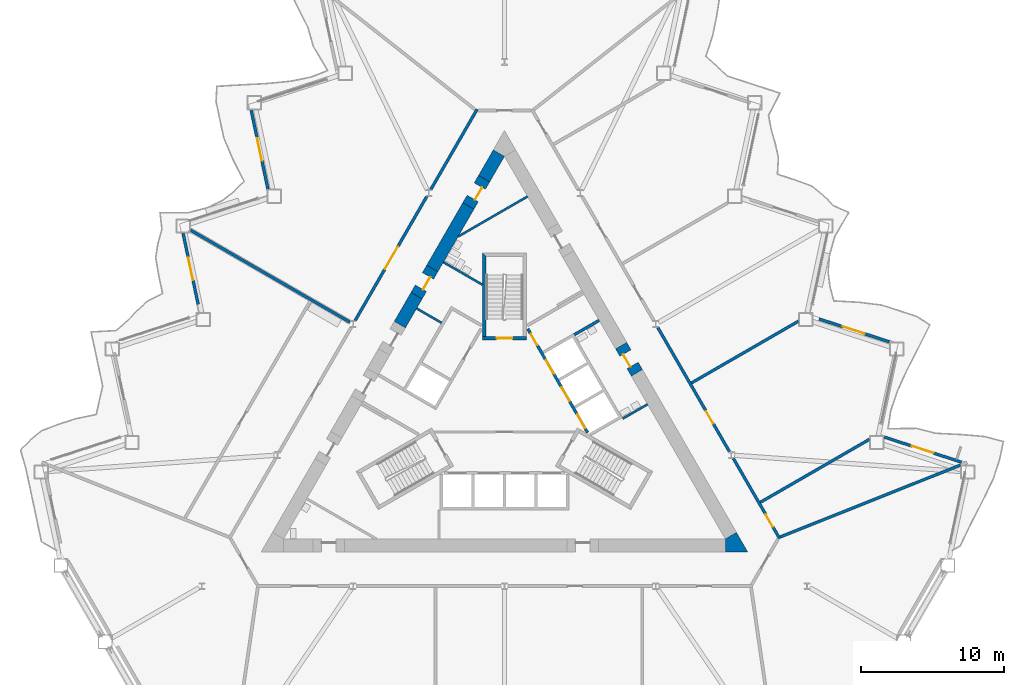
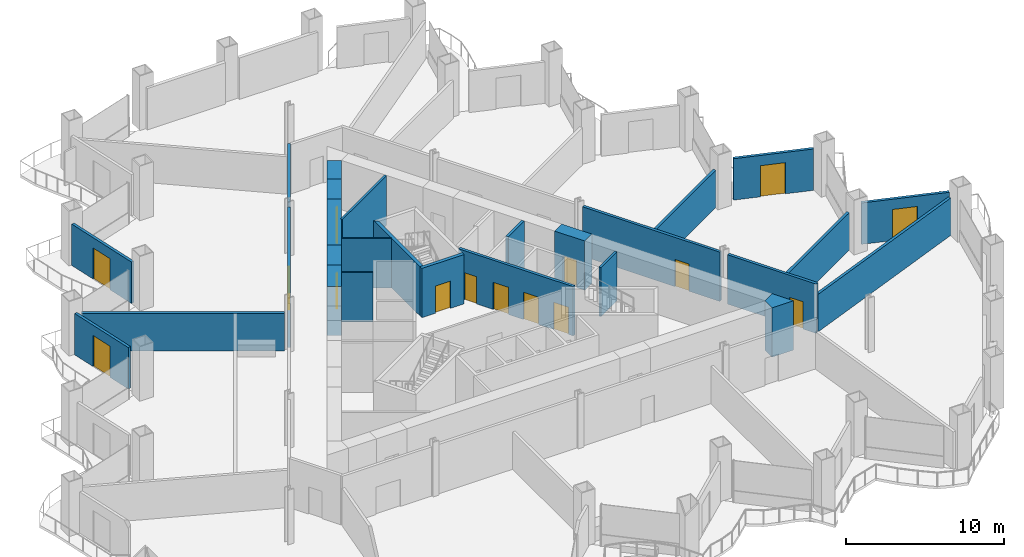
# One storey, part 11 of 20: 27 walls, 15 doors, 15 openings.
"""IFC4 building model written with IfcOpenShell, lengths in metres."""

from ifc_helpers import new_model, si_unit, direction, frame, frame_2d, origin, place, context, subcontext, project, spatial, polyline, rectangle, outline, extrude, material, layer, layer_set, type_object, element, fill, save


model = new_model("IFC4")

# Units and contexts
model_context = context("Model", 3, precision=1e-05, world=origin(), true_north=direction((0.0, 1.0)))
body_context = subcontext(model_context, "Body", "Model", "MODEL_VIEW")
ifc_project = project(units=[si_unit("LENGTHUNIT", "METRE"), si_unit("AREAUNIT", "SQUARE_METRE"), si_unit("VOLUMEUNIT", "CUBIC_METRE"), si_unit("PLANEANGLEUNIT", "RADIAN"), si_unit("MASSUNIT", "GRAM", prefix="KILO")], contexts=[model_context])

# Site, building, storey
site_placement = place(None, origin())
site = spatial("IfcSite", under=ifc_project, at=site_placement, CompositionType="ELEMENT")
building_placement = place(site_placement, origin())
building = spatial("IfcBuilding", under=site, at=building_placement, Name="Cormorant Prow Tower", CompositionType="ELEMENT")
storey_placement = place(building_placement, frame((0.0, 0.0, 34.199951171875)))
storey = spatial("IfcBuildingStorey", under=building, at=storey_placement, Name="L06", CompositionType="ELEMENT", Elevation=34.199951171875)

# Walls
ifc_material_1 = material(Name="Gypsum board partition")
ifc_layer_1 = layer(ifc_material_1, 0.14990234375)
ifc_layer_set_1 = layer_set([ifc_layer_1], Name="Gypsum board partition")
wall_type_1 = type_object("IfcWallType", Name="Core partition 150", PredefinedType="PARTITIONING", material=ifc_layer_set_1)
for number, where, z_axis, x_axis, name in (
    (1, (8.268310546875, -0.509033203125, 0.0), (0.0, 0.0, 1.0), (0.866035824272, 0.499981950752, 0.0), "Service room partition"),
    (2, (-6.139404296875, 7.196044921875, 0.0), (0.0, 0.0, 1.0), (0.866035824272, -0.499981950752, 0.0), "Service room partition"),
):
    element("IfcWall", number, at=place(storey_placement, frame(where, z_axis=z_axis, x_axis=x_axis)), inside=storey, type_object=wall_type_1, Name=name, PredefinedType="PARTITIONING", context=body_context, shape_type="SweptSolid", body=[
        extrude(rectangle(XDim=2.0087890625, YDim=0.14990234375, at=frame_2d((1.00439453125, 0.0))), origin(), (0.0, 0.0, 1.0), 3.800048828125),
    ])
wall_1_placement = place(storey_placement, frame((-4.271240234375, 10.431640625, 0.0), z_axis=(0.0, 0.0, 1.0), x_axis=(0.866018279777, -0.50001233894, 0.0)))
element("IfcWall", 3, at=wall_1_placement, inside=storey, type_object=wall_type_1, Name="Service room partition", PredefinedType="PARTITIONING", context=body_context, shape_type="SweptSolid", body=[
    extrude(rectangle(XDim=3.1591796875, YDim=0.14990234375, at=frame_2d((1.57958984375, 0.0))), origin(), (0.0, 0.0, 1.0), 3.800048828125),
])
wall_2_placement = place(storey_placement, frame((1.61865234375, 15.0263671875, 0.0), z_axis=(0.0, 0.0, 1.0), x_axis=(-0.866015917575, -0.500016430238, 0.0)))
element("IfcWall", 4, at=wall_2_placement, inside=storey, type_object=wall_type_1, Name="Service room partition", PredefinedType="PARTITIONING", context=body_context, shape_type="SweptSolid", body=[
    extrude(rectangle(XDim=5.607177734375, YDim=0.14990234375, at=frame_2d((2.8037109375, 0.0))), origin(), (0.0, 0.0, 1.0), 3.800048828125),
])
ifc_material_2 = material(Name="Concrete 8000 psi", Category="concrete")
ifc_layer_2 = layer(ifc_material_2, 0.89990234375)
ifc_layer_set_2 = layer_set([ifc_layer_2], Name="Concrete 8000 psi")
wall_type_2 = type_object("IfcWallType", Name="Core shear wall 900", PredefinedType="SHEAR", material=ifc_layer_set_2)
wall_3_placement = place(storey_placement, frame((-2.52099609375, 14.363525390625, 0.0), z_axis=(0.0, 0.0, 1.0), x_axis=(-0.500014099723, -0.866017263153, 0.0)))
element("IfcWall", 5, at=wall_3_placement, inside=storey, type_object=wall_type_2, Name="Core wall", PredefinedType="SHEAR", context=body_context, shape_type="SweptSolid", body=[
    extrude(rectangle(XDim=5.048095703125, YDim=0.89990234375, at=frame_2d((2.52392578125, 0.0))), origin(), (0.0, 0.0, 1.0), 3.800048828125),
])
wall_4_placement = place(storey_placement, frame((-6.14501953125, 8.086181640625, 0.0), z_axis=(0.0, 0.0, 1.0), x_axis=(-0.500026924946, -0.866009858102, 0.0)))
element("IfcWall", 6, at=wall_4_placement, inside=storey, type_object=wall_type_2, Name="Core wall", PredefinedType="SHEAR", context=body_context, shape_type="SweptSolid", body=[
    extrude(rectangle(XDim=2.336669921875, YDim=0.89990234375, at=frame_2d((1.16845703125, 0.0))), origin(), (0.0, 0.0, 1.0), 3.800048828125),
])
wall_5_placement = place(storey_placement, frame((-0.3896484375, 18.054931640625, 0.0), z_axis=(0.0, 0.0, 1.0), x_axis=(-0.500009360108, -0.866019999656, 0.0)))
element("IfcWall", 7, at=wall_5_placement, inside=storey, type_object=wall_type_2, Name="Core wall", PredefinedType="SHEAR", context=body_context, shape_type="SweptSolid", body=[
    extrude(rectangle(XDim=2.0625, YDim=0.89990234375, at=frame_2d((1.03125, 0.0))), origin(), (0.0, 0.0, 1.0), 3.800048828125),
])
wall_6_placement = place(storey_placement, origin())
element("IfcWall", 8, at=wall_6_placement, inside=storey, type_object=wall_type_2, Name="Core wall corner", PredefinedType="SHEAR", context=body_context, shape_type="SweptSolid", body=[
    extrude(outline(polyline([(15.441162109375, -9.81494140625), (15.441162109375, -8.9150390625), (16.220703125, -8.465087890625), (17.0, -9.81494140625), (15.441162109375, -9.81494140625)])), origin(), (0.0, 0.0, 1.0), 3.800048828125),
])

# Wall, opening, door
wall_7_placement = place(storey_placement, frame((9.26025390625, 2.690673828125, 0.0), z_axis=(0.0, 0.0, 1.0), x_axis=(-0.499946605688, 0.86605622881, 0.0)))
wall_7 = element("IfcWall", 9, at=wall_7_placement, inside=storey, type_object=wall_type_2, Name="Core wall door panel", PredefinedType="SHEAR", context=body_context, shape_type="SweptSolid", body=[
    extrude(rectangle(XDim=2.199951171875, YDim=0.89990234375, at=frame_2d((1.10009765625, 0.0))), origin(), (0.0, 0.0, 1.0), 3.800048828125),
])
opening_1_placement = place(wall_7_placement, frame((0.60009765625, 0.0, 0.0)))
opening_1 = element("IfcOpeningElement", 10, at=opening_1_placement, cuts=wall_7, Name="Opening L06-C17", PredefinedType="OPENING", context=body_context, shape_type="SweptSolid", body=[
    extrude(rectangle(XDim=1.0, YDim=2.10009765625, at=frame_2d((0.5, 1.050048828125))), frame((0.0, 0.4599609375, 0.0), z_axis=(0.0, -1.0, 0.0), x_axis=(1.0, 0.0, 0.0)), (0.0, 0.0, 1.0), 0.919921875),
])
ifc_material_3 = material(Name="Painted steel", Category="steel")
door_type_1 = type_object("IfcDoorType", Name="Service door 1000x2100", OperationType="NOTDEFINED", PredefinedType="DOOR", material=ifc_material_3)
door_1_placement = place(opening_1_placement, origin())
door_1 = element("IfcDoor", 11, at=door_1_placement, inside=storey, type_object=door_type_1, Name="Core door, Toilets (men) L06", OperationType="SINGLE_SWING_RIGHT", OverallHeight=2.10009765625, OverallWidth=1.0, PredefinedType="DOOR", context=body_context, shape_type="SweptSolid", body=[
    extrude(rectangle(XDim=1.0, YDim=2.10009765625, at=frame_2d((0.5, 1.050048828125))), frame((0.0, 0.205078125, 0.0), z_axis=(0.0, -1.0, 0.0), x_axis=(1.0, 0.0, 0.0)), (0.0, 0.0, 1.0), 0.050048828125),
])
fill(opening_1, door_1)

wall_8_placement = place(storey_placement, frame((-5.045166015625, 9.99169921875, 0.0), z_axis=(0.0, 0.0, 1.0), x_axis=(-0.499898558967, -0.866083962871, 0.0)))
wall_8 = element("IfcWall", 12, at=wall_8_placement, inside=storey, type_object=wall_type_2, Name="Core wall door panel", PredefinedType="SHEAR", context=body_context, shape_type="SweptSolid", body=[
    extrude(rectangle(XDim=2.2001953125, YDim=0.89990234375, at=frame_2d((1.10009765625, 0.0))), origin(), (0.0, 0.0, 1.0), 3.800048828125),
])
opening_2_placement = place(wall_8_placement, frame((0.60009765625, 0.0, 0.0)))
opening_2 = element("IfcOpeningElement", 13, at=opening_2_placement, cuts=wall_8, Name="Opening L06-C19", PredefinedType="OPENING", context=body_context, shape_type="SweptSolid", body=[
    extrude(rectangle(XDim=1.0, YDim=2.10009765625, at=frame_2d((0.5, 1.050048828125))), frame((0.0, 0.4599609375, 0.0), z_axis=(0.0, -1.0, 0.0), x_axis=(1.0, 0.0, 0.0)), (0.0, 0.0, 1.0), 0.919921875),
])
door_2_placement = place(opening_2_placement, origin())
door_2 = element("IfcDoor", 14, at=door_2_placement, inside=storey, type_object=door_type_1, Name="Core door, Electrical room", OperationType="SINGLE_SWING_LEFT", OverallHeight=2.10009765625, OverallWidth=1.0, PredefinedType="DOOR", context=body_context, shape_type="SweptSolid", body=[
    extrude(rectangle(XDim=1.0, YDim=2.10009765625, at=frame_2d((0.5, 1.050048828125))), frame((0.0, 0.205078125, 0.0), z_axis=(0.0, -1.0, 0.0), x_axis=(1.0, 0.0, 0.0)), (0.0, 0.0, 1.0), 0.050048828125),
])
fill(opening_2, door_2)

wall_9_placement = place(storey_placement, frame((-1.4208984375, 16.268798828125, 0.0), z_axis=(0.0, 0.0, 1.0), x_axis=(-0.50002983664, -0.866008176907, 0.0)))
wall_9 = element("IfcWall", 15, at=wall_9_placement, inside=storey, type_object=wall_type_2, Name="Core wall door panel", PredefinedType="SHEAR", context=body_context, shape_type="SweptSolid", body=[
    extrude(rectangle(XDim=2.199951171875, YDim=0.89990234375, at=frame_2d((1.10009765625, 0.0))), origin(), (0.0, 0.0, 1.0), 3.800048828125),
])
opening_3_placement = place(wall_9_placement, frame((0.60009765625, 0.0, 0.0)))
opening_3 = element("IfcOpeningElement", 16, at=opening_3_placement, cuts=wall_9, Name="Opening L06-C21", PredefinedType="OPENING", context=body_context, shape_type="SweptSolid", body=[
    extrude(rectangle(XDim=1.0, YDim=2.10009765625, at=frame_2d((0.5, 1.050048828125))), frame((0.0, 0.4599609375, 0.0), z_axis=(0.0, -1.0, 0.0), x_axis=(1.0, 0.0, 0.0)), (0.0, 0.0, 1.0), 0.919921875),
])
door_3_placement = place(opening_3_placement, origin())
door_3 = element("IfcDoor", 17, at=door_3_placement, inside=storey, type_object=door_type_1, Name="Core door, Refuse store", OperationType="SINGLE_SWING_RIGHT", OverallHeight=2.10009765625, OverallWidth=1.0, PredefinedType="DOOR", context=body_context, shape_type="SweptSolid", body=[
    extrude(rectangle(XDim=1.0, YDim=2.10009765625, at=frame_2d((0.5, 1.050048828125))), frame((0.0, 0.205078125, 0.0), z_axis=(0.0, -1.0, 0.0), x_axis=(1.0, 0.0, 0.0)), (0.0, 0.0, 1.0), 0.050048828125),
])
fill(opening_3, door_3)

ifc_material_4 = material(Name="Gypsum board corridor wall")
ifc_layer_3 = layer(ifc_material_4, 0.199951171875)
ifc_layer_set_3 = layer_set([ifc_layer_3], Name="Gypsum board corridor wall")
wall_type_3 = type_object("IfcWallType", Name="Corridor wall 200", PredefinedType="PARTITIONING", material=ifc_layer_set_3)
wall_10_placement = place(storey_placement, frame((-10.438720703125, 6.349853515625, 0.0), z_axis=(0.0, 0.0, 1.0), x_axis=(0.50001002959, 0.86601961312, 0.0)))
wall_10 = element("IfcWall", 18, at=wall_10_placement, inside=storey, type_object=wall_type_3, Name="Corridor wall", PredefinedType="PARTITIONING", context=body_context, shape_type="SweptSolid", body=[
    extrude(rectangle(XDim=10.018798828125, YDim=0.199951171875, at=frame_2d((5.00927734375, 0.0))), origin(), (0.0, 0.0, 1.0), 3.800048828125),
])
opening_4_placement = place(wall_10_placement, frame((4.15966796875, 0.0, 0.0)))
opening_4 = element("IfcOpeningElement", 19, at=opening_4_placement, cuts=wall_10, Name="Opening L06-F11", PredefinedType="OPENING", context=body_context, shape_type="SweptSolid", body=[
    extrude(rectangle(XDim=1.800048828125, YDim=2.10009765625, at=frame_2d((0.89990234375, 1.050048828125))), frame((0.0, 0.10986328125, 0.0), z_axis=(0.0, -1.0, 0.0), x_axis=(1.0, 0.0, 0.0)), (0.0, 0.0, 1.0), 0.219970703125),
])
ifc_material_5 = material(Name="Timber door leaf", Category="wood")
door_type_2 = type_object("IfcDoorType", Name="Double door 1800x2100", OperationType="DOUBLE_DOOR_SINGLE_SWING", PredefinedType="DOOR", material=ifc_material_5)
door_4_placement = place(opening_4_placement, origin())
door_4 = element("IfcDoor", 20, at=door_4_placement, inside=storey, type_object=door_type_2, Name="Trading room door", OperationType="DOUBLE_DOOR_SINGLE_SWING", OverallHeight=2.10009765625, OverallWidth=1.800048828125, PredefinedType="DOOR", context=body_context, shape_type="SweptSolid", body=[
    extrude(rectangle(XDim=1.800048828125, YDim=2.10009765625, at=frame_2d((0.89990234375, 1.050048828125))), frame((0.0, 0.02490234375, 0.0), z_axis=(0.0, -1.0, 0.0), x_axis=(1.0, 0.0, 0.0)), (0.0, 0.0, 1.0), 0.050048828125),
])
fill(opening_4, door_4)

wall_11_placement = place(storey_placement, frame((10.718505859375, 5.865234375, 0.0), z_axis=(0.0, 0.0, 1.0), x_axis=(0.49999175339, -0.866030164915, 0.0)))
wall_11 = element("IfcWall", 21, at=wall_11_placement, inside=storey, type_object=wall_type_3, Name="Corridor wall", PredefinedType="PARTITIONING", context=body_context, shape_type="SweptSolid", body=[
    extrude(rectangle(XDim=10.018798828125, YDim=0.199951171875, at=frame_2d((5.00927734375, 0.0))), origin(), (0.0, 0.0, 1.0), 3.800048828125),
])
opening_5_placement = place(wall_11_placement, frame((6.764404296875, 0.0, 0.0)))
opening_5 = element("IfcOpeningElement", 22, at=opening_5_placement, cuts=wall_11, Name="Opening L06-F06", PredefinedType="OPENING", context=body_context, shape_type="SweptSolid", body=[
    extrude(rectangle(XDim=1.0, YDim=2.10009765625, at=frame_2d((0.5, 1.050048828125))), frame((0.0, 0.10986328125, 0.0), z_axis=(0.0, -1.0, 0.0), x_axis=(1.0, 0.0, 0.0)), (0.0, 0.0, 1.0), 0.219970703125),
])
ifc_material_6 = material(Name="Timber door leaf", Category="wood")
door_type_3 = type_object("IfcDoorType", Name="Office door 1000x2100", OperationType="NOTDEFINED", PredefinedType="DOOR", material=ifc_material_6)
door_5_placement = place(opening_5_placement, origin())
door_5 = element("IfcDoor", 23, at=door_5_placement, inside=storey, type_object=door_type_3, Name="Tenant suite door", OperationType="SINGLE_SWING_LEFT", OverallHeight=2.10009765625, OverallWidth=1.0, PredefinedType="DOOR", context=body_context, shape_type="SweptSolid", body=[
    extrude(rectangle(XDim=1.0, YDim=2.10009765625, at=frame_2d((0.5, 1.050048828125))), frame((0.0, 0.02490234375, 0.0), z_axis=(0.0, -1.0, 0.0), x_axis=(1.0, 0.0, 0.0)), (0.0, 0.0, 1.0), 0.050048828125),
])
fill(opening_5, door_5)

# Wall
wall_12_placement = place(storey_placement, frame((-5.1494140625, 15.510986328125, 0.0), z_axis=(0.0, 0.0, 1.0), x_axis=(0.500001069878, 0.866024786089, 0.0)))
element("IfcWall", 24, at=wall_12_placement, inside=storey, type_object=wall_type_3, Name="Corridor wall", PredefinedType="PARTITIONING", context=body_context, shape_type="SweptSolid", body=[
    extrude(rectangle(XDim=6.47265625, YDim=0.199951171875, at=frame_2d((3.236328125, 0.0))), origin(), (0.0, 0.0, 1.0), 3.800048828125),
])

# Wall, opening, door
wall_13_placement = place(storey_placement, frame((16.007568359375, -3.2958984375, 0.0), z_axis=(0.0, 0.0, 1.0), x_axis=(0.499984737558, -0.86603421538, 0.0)))
wall_13 = element("IfcWall", 25, at=wall_13_placement, inside=storey, type_object=wall_type_3, Name="Corridor wall", PredefinedType="PARTITIONING", context=body_context, shape_type="SweptSolid", body=[
    extrude(rectangle(XDim=6.472900390625, YDim=0.199951171875, at=frame_2d((3.236328125, 0.0))), origin(), (0.0, 0.0, 1.0), 3.800048828125),
])
opening_6_placement = place(wall_13_placement, frame((4.51220703125, 0.0, 0.0)))
opening_6 = element("IfcOpeningElement", 26, at=opening_6_placement, cuts=wall_13, Name="Opening L06-F05", PredefinedType="OPENING", context=body_context, shape_type="SweptSolid", body=[
    extrude(rectangle(XDim=1.0, YDim=2.10009765625, at=frame_2d((0.5, 1.050048828125))), frame((0.0, 0.10986328125, 0.0), z_axis=(0.0, -1.0, 0.0), x_axis=(1.0, 0.0, 0.0)), (0.0, 0.0, 1.0), 0.219970703125),
])
door_6_placement = place(opening_6_placement, origin())
door_6 = element("IfcDoor", 27, at=door_6_placement, inside=storey, type_object=door_type_3, Name="Private office door", OperationType="SINGLE_SWING_LEFT", OverallHeight=2.10009765625, OverallWidth=1.0, PredefinedType="DOOR", context=body_context, shape_type="SweptSolid", body=[
    extrude(rectangle(XDim=1.0, YDim=2.10009765625, at=frame_2d((0.5, 1.050048828125))), frame((0.0, 0.02490234375, 0.0), z_axis=(0.0, -1.0, 0.0), x_axis=(1.0, 0.0, 0.0)), (0.0, 0.0, 1.0), 0.050048828125),
])
fill(opening_6, door_6)

# Walls
ifc_material_7 = material(Name="Gypsum board demising wall")
ifc_layer_4 = layer(ifc_material_7, 0.199951171875)
ifc_layer_set_4 = layer_set([ifc_layer_4], Name="Gypsum board demising wall")
wall_type_4 = type_object("IfcWallType", Name="Demising wall 200", PredefinedType="PARTITIONING", material=ifc_layer_set_4)
wall_14_placement = place(storey_placement, frame((19.286865234375, -8.77783203125, 0.0), z_axis=(0.0, 0.0, 1.0), x_axis=(0.928821541656, 0.370527385973, 0.0)))
element("IfcWall", 28, at=wall_14_placement, inside=storey, type_object=wall_type_4, Name="Demising wall", PredefinedType="PARTITIONING", context=body_context, shape_type="SweptSolid", body=[
    extrude(rectangle(XDim=13.5576171875, YDim=0.199951171875, at=frame_2d((6.77880859375, 0.0))), origin(), (0.0, 0.0, 1.0), 2.88525390625),
])
wall_15_placement = place(storey_placement, frame((-21.947265625, 12.671142578125, 0.0), z_axis=(0.0, 0.0, 1.0), x_axis=(0.866026729935, -0.499997703033, 0.0)))
element("IfcWall", 29, at=wall_15_placement, inside=storey, type_object=wall_type_4, Name="Demising wall", PredefinedType="PARTITIONING", context=body_context, shape_type="SweptSolid", body=[
    extrude(rectangle(XDim=12.84765625, YDim=0.199951171875, at=frame_2d((6.423828125, 0.0))), origin(), (0.0, 0.0, 1.0), 2.88525390625),
])
wall_16_placement = place(storey_placement, frame((17.891357421875, -6.35888671875, 0.0), z_axis=(0.0, 0.0, 1.0), x_axis=(0.866021822855, 0.500006202301, 0.0)))
element("IfcWall", 30, at=wall_16_placement, inside=storey, type_object=wall_type_4, Name="Demising wall", PredefinedType="PARTITIONING", context=body_context, shape_type="SweptSolid", body=[
    extrude(rectangle(XDim=8.8134765625, YDim=0.199951171875, at=frame_2d((4.40673828125, 0.0))), origin(), (0.0, 0.0, 1.0), 2.88525390625),
])
wall_17_placement = place(storey_placement, frame((13.07373046875, 1.9853515625, 0.0), z_axis=(0.0, 0.0, 1.0), x_axis=(0.86602139752, 0.500006938989, 0.0)))
element("IfcWall", 31, at=wall_17_placement, inside=storey, type_object=wall_type_4, Name="Demising wall", PredefinedType="PARTITIONING", context=body_context, shape_type="SweptSolid", body=[
    extrude(rectangle(XDim=8.64208984375, YDim=0.199951171875, at=frame_2d((4.321044921875, 0.0))), origin(), (0.0, 0.0, 1.0), 2.88525390625),
])

# Wall, openings, doors
ifc_material_8 = material(Name="Concrete 5000 psi", Category="concrete")
ifc_layer_5 = layer(ifc_material_8, 0.199951171875)
ifc_layer_set_5 = layer_set([ifc_layer_5], Name="Concrete 5000 psi")
wall_type_5 = type_object("IfcWallType", Name="Lift lobby wall 200", PredefinedType="SOLIDWALL", material=ifc_layer_set_5)
wall_18_placement = place(storey_placement, frame((5.817138671875, -1.4755859375, 0.0), z_axis=(0.0, 0.0, 1.0), x_axis=(-0.500002616675, 0.866023893041, 0.0)))
wall_18 = element("IfcWall", 32, at=wall_18_placement, inside=storey, type_object=wall_type_5, Name="Lift lobby wall, ENE block", PredefinedType="SOLIDWALL", context=body_context, shape_type="SweptSolid", body=[
    extrude(rectangle(XDim=8.373046875, YDim=0.199951171875, at=frame_2d((4.1865234375, 0.0))), origin(), (0.0, 0.0, 1.0), 3.800048828125),
])
opening_7_placement = place(wall_18_placement, frame((0.336669921875, 0.0, 0.0)))
opening_7 = element("IfcOpeningElement", 33, at=opening_7_placement, cuts=wall_18, Name="Opening L06-C05", PredefinedType="OPENING", context=body_context, shape_type="SweptSolid", body=[
    extrude(rectangle(XDim=1.10009765625, YDim=2.10009765625, at=frame_2d((0.550048828125, 1.050048828125))), frame((0.0, 0.10986328125, 0.0), z_axis=(0.0, -1.0, 0.0), x_axis=(1.0, 0.0, 0.0)), (0.0, 0.0, 1.0), 0.219970703125),
])
opening_8_placement = place(wall_18_placement, frame((2.53662109375, 0.0, 0.0)))
opening_8 = element("IfcOpeningElement", 34, at=opening_8_placement, cuts=wall_18, Name="Opening L06-C06", PredefinedType="OPENING", context=body_context, shape_type="SweptSolid", body=[
    extrude(rectangle(XDim=1.10009765625, YDim=2.10009765625, at=frame_2d((0.550048828125, 1.050048828125))), frame((0.0, 0.10986328125, 0.0), z_axis=(0.0, -1.0, 0.0), x_axis=(1.0, 0.0, 0.0)), (0.0, 0.0, 1.0), 0.219970703125),
])
opening_9_placement = place(wall_18_placement, frame((4.736572265625, 0.0, 0.0)))
opening_9 = element("IfcOpeningElement", 35, at=opening_9_placement, cuts=wall_18, Name="Opening L06-C07", PredefinedType="OPENING", context=body_context, shape_type="SweptSolid", body=[
    extrude(rectangle(XDim=1.10009765625, YDim=2.10009765625, at=frame_2d((0.550048828125, 1.050048828125))), frame((0.0, 0.10986328125, 0.0), z_axis=(0.0, -1.0, 0.0), x_axis=(1.0, 0.0, 0.0)), (0.0, 0.0, 1.0), 0.219970703125),
])
opening_10_placement = place(wall_18_placement, frame((7.03662109375, 0.0, 0.0)))
opening_10 = element("IfcOpeningElement", 36, at=opening_10_placement, cuts=wall_18, Name="Opening L06-C08", PredefinedType="OPENING", context=body_context, shape_type="SweptSolid", body=[
    extrude(rectangle(XDim=0.89990234375, YDim=2.10009765625, at=frame_2d((0.449951171875, 1.050048828125))), frame((0.0, 0.10986328125, 0.0), z_axis=(0.0, -1.0, 0.0), x_axis=(1.0, 0.0, 0.0)), (0.0, 0.0, 1.0), 0.219970703125),
])
ifc_material_9 = material(Name="Painted steel", Category="steel")
door_type_4 = type_object("IfcDoorType", Name="Lift landing door 1100x2100", OperationType="SLIDING_TO_LEFT", PredefinedType="DOOR", material=ifc_material_9)
door_7_placement = place(opening_7_placement, origin())
door_7 = element("IfcDoor", 37, at=door_7_placement, inside=storey, type_object=door_type_4, Name="Landing door LR2", OperationType="SLIDING_TO_LEFT", OverallHeight=2.10009765625, OverallWidth=1.10009765625, PredefinedType="DOOR", context=body_context, shape_type="SweptSolid", body=[
    extrude(rectangle(XDim=1.10009765625, YDim=2.10009765625, at=frame_2d((0.550048828125, 1.050048828125))), frame((0.0, 0.02490234375, 0.0), z_axis=(0.0, -1.0, 0.0), x_axis=(1.0, 0.0, 0.0)), (0.0, 0.0, 1.0), 0.050048828125),
])
fill(opening_7, door_7)
door_8_placement = place(opening_8_placement, origin())
door_8 = element("IfcDoor", 38, at=door_8_placement, inside=storey, type_object=door_type_4, Name="Landing door LR3", OperationType="SLIDING_TO_LEFT", OverallHeight=2.10009765625, OverallWidth=1.10009765625, PredefinedType="DOOR", context=body_context, shape_type="SweptSolid", body=[
    extrude(rectangle(XDim=1.10009765625, YDim=2.10009765625, at=frame_2d((0.550048828125, 1.050048828125))), frame((0.0, 0.02490234375, 0.0), z_axis=(0.0, -1.0, 0.0), x_axis=(1.0, 0.0, 0.0)), (0.0, 0.0, 1.0), 0.050048828125),
])
fill(opening_8, door_8)
door_9_placement = place(opening_9_placement, origin())
door_9 = element("IfcDoor", 39, at=door_9_placement, inside=storey, type_object=door_type_4, Name="Landing door LR4", OperationType="SLIDING_TO_LEFT", OverallHeight=2.10009765625, OverallWidth=1.10009765625, PredefinedType="DOOR", context=body_context, shape_type="SweptSolid", body=[
    extrude(rectangle(XDim=1.10009765625, YDim=2.10009765625, at=frame_2d((0.550048828125, 1.050048828125))), frame((0.0, 0.02490234375, 0.0), z_axis=(0.0, -1.0, 0.0), x_axis=(1.0, 0.0, 0.0)), (0.0, 0.0, 1.0), 0.050048828125),
])
fill(opening_9, door_9)
ifc_material_10 = material(Name="Painted steel", Category="steel")
door_type_5 = type_object("IfcDoorType", Name="Service door 900x2100", OperationType="NOTDEFINED", PredefinedType="DOOR", material=ifc_material_10)
door_10_placement = place(opening_10_placement, origin())
door_10 = element("IfcDoor", 40, at=door_10_placement, inside=storey, type_object=door_type_5, Name="Service door, Linen store", OperationType="SINGLE_SWING_RIGHT", OverallHeight=2.10009765625, OverallWidth=0.89990234375, PredefinedType="DOOR", context=body_context, shape_type="SweptSolid", body=[
    extrude(rectangle(XDim=0.89990234375, YDim=2.10009765625, at=frame_2d((0.449951171875, 1.050048828125))), frame((0.0, 0.02490234375, 0.0), z_axis=(0.0, -1.0, 0.0), x_axis=(1.0, 0.0, 0.0)), (0.0, 0.0, 1.0), 0.050048828125),
])
fill(opening_10, door_10)

# Walls
ifc_material_11 = material(Name="Concrete 8000 psi", Category="concrete")
ifc_layer_6 = layer(ifc_material_11, 0.199951171875)
ifc_layer_set_6 = layer_set([ifc_layer_6], Name="Concrete 8000 psi")
wall_type_6 = type_object("IfcWallType", Name="Lift shaft wall 200", PredefinedType="SHEAR", material=ifc_layer_set_6)
wall_19_placement = place(storey_placement, frame((4.880859375, 5.3583984375, 0.0), z_axis=(0.0, 0.0, 1.0), x_axis=(0.866035824272, 0.499981950752, 0.0)))
element("IfcWall", 41, at=wall_19_placement, inside=storey, type_object=wall_type_6, Name="Store side wall", PredefinedType="SHEAR", context=body_context, shape_type="SweptSolid", body=[
    extrude(rectangle(XDim=2.0087890625, YDim=0.199951171875, at=frame_2d((1.00439453125, 0.0))), origin(), (0.0, 0.0, 1.0), 3.800048828125),
])
ifc_material_12 = material(Name="Concrete 8000 psi", Category="concrete")
ifc_layer_7 = layer(ifc_material_12, 0.25)
ifc_layer_set_7 = layer_set([ifc_layer_7], Name="Concrete 8000 psi")
wall_type_7 = type_object("IfcWallType", Name="Stair wall 250", PredefinedType="SHEAR", material=ifc_layer_set_7)
wall_20_placement = place(storey_placement, origin())
element("IfcWall", 42, at=wall_20_placement, inside=storey, type_object=wall_type_7, Name="Stair ST3 enclosure wall (flank)", PredefinedType="SHEAR", context=body_context, shape_type="SweptSolid", body=[
    extrude(outline(polyline([(-1.2939453125, 10.8369140625), (-1.5439453125, 11.0869140625), (-1.5439453125, 5.23681640625), (-1.2939453125, 5.23681640625), (-1.2939453125, 10.8369140625)])), origin(), (0.0, 0.0, 1.0), 3.800048828125),
])

# Wall, opening, door
wall_21_placement = place(storey_placement, frame((1.5439453125, 5.11181640625, 0.0), z_axis=(0.0, 0.0, 1.0), x_axis=(-1.0, 0.0, 0.0)))
wall_21 = element("IfcWall", 43, at=wall_21_placement, inside=storey, type_object=wall_type_7, Name="Stair ST3 door wall", PredefinedType="SHEAR", context=body_context, shape_type="SweptSolid", body=[
    extrude(rectangle(XDim=3.087890625, YDim=0.25, at=frame_2d((1.5439453125, 0.0))), origin(), (0.0, 0.0, 1.0), 3.800048828125),
])
opening_11_placement = place(wall_21_placement, frame((0.993896484375, 0.0, 0.0)))
opening_11 = element("IfcOpeningElement", 44, at=opening_11_placement, cuts=wall_21, Name="Opening L06-C13", PredefinedType="OPENING", context=body_context, shape_type="SweptSolid", body=[
    extrude(rectangle(XDim=1.10009765625, YDim=2.10009765625, at=frame_2d((0.550048828125, 1.050048828125))), frame((0.0, 0.135009765625, 0.0), z_axis=(0.0, -1.0, 0.0), x_axis=(1.0, 0.0, 0.0)), (0.0, 0.0, 1.0), 0.27001953125),
])
ifc_material_13 = material(Name="Painted steel", Category="steel")
door_type_6 = type_object("IfcDoorType", Name="Stair door 1100x2100", OperationType="NOTDEFINED", PredefinedType="DOOR", material=ifc_material_13)
door_11_placement = place(opening_11_placement, origin())
door_11 = element("IfcDoor", 45, at=door_11_placement, inside=storey, type_object=door_type_6, Name="Stair ST3 door", OperationType="SINGLE_SWING_LEFT", OverallHeight=2.10009765625, OverallWidth=1.10009765625, PredefinedType="DOOR", context=body_context, shape_type="SweptSolid", body=[
    extrude(rectangle(XDim=1.10009765625, YDim=2.10009765625, at=frame_2d((0.550048828125, 1.050048828125))), frame((0.0, 0.02490234375, 0.0), z_axis=(0.0, -1.0, 0.0), x_axis=(1.0, 0.0, 0.0)), (0.0, 0.0, 1.0), 0.050048828125),
])
fill(opening_11, door_11)

ifc_material_14 = material(Name="Terracotta", Category="masonry")
ifc_layer_8 = layer(ifc_material_14, 0.199951171875)
ifc_layer_set_8 = layer_set([ifc_layer_8], Name="Terracotta")
wall_type_8 = type_object("IfcWallType", Name="Terracotta jamb wall 200", PredefinedType="SOLIDWALL", material=ifc_layer_set_8)
wall_22_placement = place(storey_placement, frame((31.95166015625, -3.5517578125, 0.0), z_axis=(0.0, 0.0, 1.0), x_axis=(-0.951049886998, 0.309037396509, 0.0)))
wall_22 = element("IfcWall", 46, at=wall_22_placement, inside=storey, type_object=wall_type_8, Name="Terracotta jamb wall ENE01", PredefinedType="SOLIDWALL", context=body_context, shape_type="SweptSolid", body=[
    extrude(rectangle(XDim=5.670654296875, YDim=0.199951171875, at=frame_2d((2.83544921875, 0.0))), origin(), (0.0, 0.0, 1.0), 3.18896484375),
])
opening_12_placement = place(wall_22_placement, frame((2.057373046875, 0.0, 0.0)))
opening_12 = element("IfcOpeningElement", 47, at=opening_12_placement, cuts=wall_22, Name="Opening ED06.06", PredefinedType="OPENING", context=body_context, shape_type="SweptSolid", body=[
    extrude(rectangle(XDim=1.60009765625, YDim=2.39990234375, at=frame_2d((0.800048828125, 1.199951171875))), frame((0.0, 0.10986328125, 0.0), z_axis=(0.0, -1.0, 0.0), x_axis=(1.0, 0.0, 0.0)), (0.0, 0.0, 1.0), 0.219970703125),
])
ifc_material_15 = material(Name="Aluminium 6063-T6", Category="aluminium")
door_type_7 = type_object("IfcDoorType", Name="Balcony door 1600x2400", OperationType="DOUBLE_DOOR_SINGLE_SWING", PredefinedType="DOOR", material=ifc_material_15)
door_12_placement = place(opening_12_placement, origin())
door_12 = element("IfcDoor", 48, at=door_12_placement, inside=storey, type_object=door_type_7, Name="Balcony door ENE01 ED06.06", OperationType="DOUBLE_DOOR_SINGLE_SWING", OverallHeight=2.39990234375, OverallWidth=1.60009765625, PredefinedType="DOOR", context=body_context, shape_type="SweptSolid", body=[
    extrude(rectangle(XDim=1.60009765625, YDim=2.39990234375, at=frame_2d((0.800048828125, 1.199951171875))), frame((0.0, 0.02490234375, 0.0), z_axis=(0.0, -1.0, 0.0), x_axis=(1.0, 0.0, 0.0)), (0.0, 0.0, 1.0), 0.050048828125),
])
fill(opening_12, door_12)

wall_23_placement = place(storey_placement, frame((26.92333984375, 4.861083984375, 0.0), z_axis=(0.0, 0.0, 1.0), x_axis=(-0.951053139094, 0.309027388138, 0.0)))
wall_23 = element("IfcWall", 49, at=wall_23_placement, inside=storey, type_object=wall_type_8, Name="Terracotta jamb wall ENE03", PredefinedType="SOLIDWALL", context=body_context, shape_type="SweptSolid", body=[
    extrude(rectangle(XDim=5.173828125, YDim=0.199951171875, at=frame_2d((2.5869140625, 0.0))), origin(), (0.0, 0.0, 1.0), 3.18896484375),
])
opening_13_placement = place(wall_23_placement, frame((1.835693359375, 0.0, 0.0)))
opening_13 = element("IfcOpeningElement", 50, at=opening_13_placement, cuts=wall_23, Name="Opening ED06.07", PredefinedType="OPENING", context=body_context, shape_type="SweptSolid", body=[
    extrude(rectangle(XDim=1.60009765625, YDim=2.39990234375, at=frame_2d((0.800048828125, 1.199951171875))), frame((0.0, 0.10986328125, 0.0), z_axis=(0.0, -1.0, 0.0), x_axis=(1.0, 0.0, 0.0)), (0.0, 0.0, 1.0), 0.219970703125),
])
door_13_placement = place(opening_13_placement, origin())
door_13 = element("IfcDoor", 51, at=door_13_placement, inside=storey, type_object=door_type_7, Name="Balcony door ENE03 ED06.07", OperationType="DOUBLE_DOOR_SINGLE_SWING", OverallHeight=2.39990234375, OverallWidth=1.60009765625, PredefinedType="DOOR", context=body_context, shape_type="SweptSolid", body=[
    extrude(rectangle(XDim=1.60009765625, YDim=2.39990234375, at=frame_2d((0.800048828125, 1.199951171875))), frame((0.0, 0.02490234375, 0.0), z_axis=(0.0, -1.0, 0.0), x_axis=(1.0, 0.0, 0.0)), (0.0, 0.0, 1.0), 0.050048828125),
])
fill(opening_13, door_13)

wall_24_placement = place(storey_placement, frame((-17.70654296875, 21.050537109375, 0.0), z_axis=(0.0, 0.0, 1.0), x_axis=(0.207933895231, -0.978142880777, 0.0)))
wall_24 = element("IfcWall", 52, at=wall_24_placement, inside=storey, type_object=wall_type_8, Name="Terracotta jamb wall WNW03", PredefinedType="SOLIDWALL", context=body_context, shape_type="SweptSolid", body=[
    extrude(rectangle(XDim=5.634521484375, YDim=0.199951171875, at=frame_2d((2.8173828125, 0.0))), origin(), (0.0, 0.0, 1.0), 3.18896484375),
])
opening_14_placement = place(wall_24_placement, frame((2.004150390625, 0.0, 0.0)))
opening_14 = element("IfcOpeningElement", 53, at=opening_14_placement, cuts=wall_24, Name="Opening ED06.12", PredefinedType="OPENING", context=body_context, shape_type="SweptSolid", body=[
    extrude(rectangle(XDim=1.60009765625, YDim=2.39990234375, at=frame_2d((0.800048828125, 1.199951171875))), frame((0.0, 0.10986328125, 0.0), z_axis=(0.0, -1.0, 0.0), x_axis=(1.0, 0.0, 0.0)), (0.0, 0.0, 1.0), 0.219970703125),
])
door_14_placement = place(opening_14_placement, origin())
door_14 = element("IfcDoor", 54, at=door_14_placement, inside=storey, type_object=door_type_7, Name="Balcony door WNW03 ED06.12", OperationType="DOUBLE_DOOR_SINGLE_SWING", OverallHeight=2.39990234375, OverallWidth=1.60009765625, PredefinedType="DOOR", context=body_context, shape_type="SweptSolid", body=[
    extrude(rectangle(XDim=1.60009765625, YDim=2.39990234375, at=frame_2d((0.800048828125, 1.199951171875))), frame((0.0, 0.02490234375, 0.0), z_axis=(0.0, -1.0, 0.0), x_axis=(1.0, 0.0, 0.0)), (0.0, 0.0, 1.0), 0.050048828125),
])
fill(opening_14, door_14)

wall_25_placement = place(storey_placement, frame((-22.46875, 12.4462890625, 0.0), z_axis=(0.0, 0.0, 1.0), x_axis=(0.207903044531, -0.978149438519, 0.0)))
wall_25 = element("IfcWall", 55, at=wall_25_placement, inside=storey, type_object=wall_type_8, Name="Terracotta jamb wall WNW05", PredefinedType="SOLIDWALL", context=body_context, shape_type="SweptSolid", body=[
    extrude(rectangle(XDim=5.076416015625, YDim=0.199951171875, at=frame_2d((2.5380859375, 0.0))), origin(), (0.0, 0.0, 1.0), 3.18896484375),
])
opening_15_placement = place(wall_25_placement, frame((1.73828125, 0.0, 0.0)))
opening_15 = element("IfcOpeningElement", 56, at=opening_15_placement, cuts=wall_25, Name="Opening ED06.13", PredefinedType="OPENING", context=body_context, shape_type="SweptSolid", body=[
    extrude(rectangle(XDim=1.60009765625, YDim=2.39990234375, at=frame_2d((0.800048828125, 1.199951171875))), frame((0.0, 0.10986328125, 0.0), z_axis=(0.0, -1.0, 0.0), x_axis=(1.0, 0.0, 0.0)), (0.0, 0.0, 1.0), 0.219970703125),
])
door_15_placement = place(opening_15_placement, origin())
door_15 = element("IfcDoor", 57, at=door_15_placement, inside=storey, type_object=door_type_7, Name="Balcony door WNW05 ED06.13", OperationType="DOUBLE_DOOR_SINGLE_SWING", OverallHeight=2.39990234375, OverallWidth=1.60009765625, PredefinedType="DOOR", context=body_context, shape_type="SweptSolid", body=[
    extrude(rectangle(XDim=1.60009765625, YDim=2.39990234375, at=frame_2d((0.800048828125, 1.199951171875))), frame((0.0, 0.02490234375, 0.0), z_axis=(0.0, -1.0, 0.0), x_axis=(1.0, 0.0, 0.0)), (0.0, 0.0, 1.0), 0.050048828125),
])
fill(opening_15, door_15)

save(model, "model.ifc")
